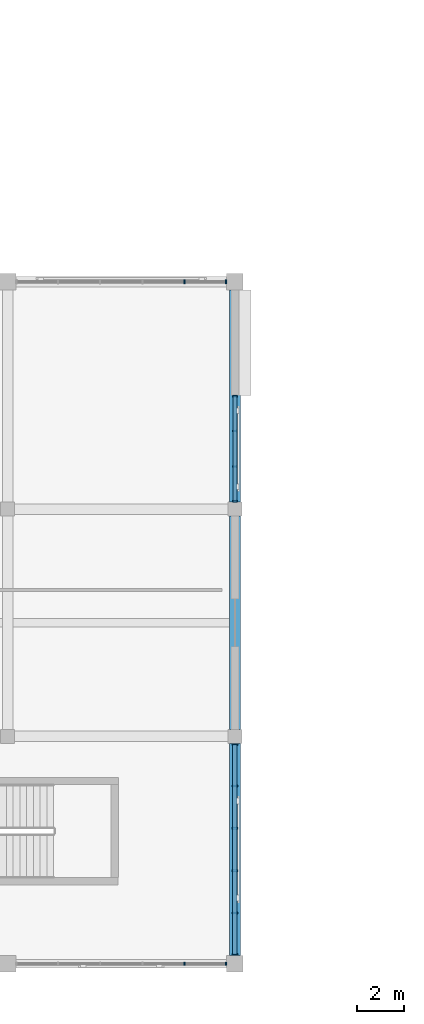
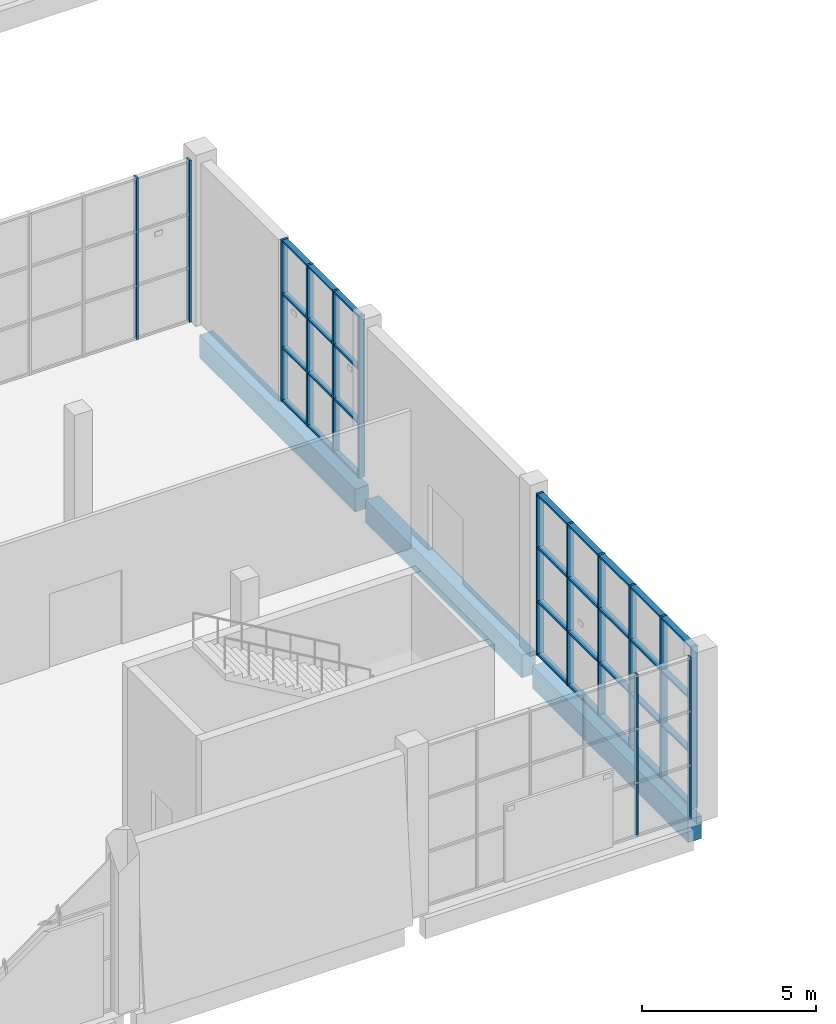
# One storey, part 10 of 84: 22 members, 3 beams, 4 elements without a shape of their own.
"""IFC4 building model written with IfcOpenShell, lengths in metres."""

from ifc_helpers import new_model, si_unit, direction, frame, origin, origin_2d, place, context, subcontext, project, spatial, rectangle, extrude, material, material_profile, profile_set, type_object, element, aggregate, save


model = new_model("IFC4")

# Units and contexts
model_context = context("Model", 3, precision=1e-05, world=origin(), true_north=direction((0.0, 1.0)))
body_context = subcontext(model_context, "Body", "Model", "MODEL_VIEW")
ifc_project = project(units=[si_unit("LENGTHUNIT", "METRE"), si_unit("AREAUNIT", "SQUARE_METRE"), si_unit("VOLUMEUNIT", "CUBIC_METRE"), si_unit("PLANEANGLEUNIT", "RADIAN"), si_unit("MASSUNIT", "GRAM", prefix="KILO")], contexts=[model_context])

# Site, building, storey
site_placement = place(None, origin())
site = spatial("IfcSite", under=ifc_project, at=site_placement, CompositionType="ELEMENT")
building_placement = place(site_placement, origin())
building = spatial("IfcBuilding", under=site, at=building_placement, Name="Shalvenor Court Art Gallery", CompositionType="ELEMENT")
storey_placement = place(building_placement, origin())
storey = spatial("IfcBuildingStorey", under=building, at=storey_placement, Name="L00", CompositionType="ELEMENT", Elevation=0.0)

# Beams
ifc_material_1 = material(Name="Concrete C40/50", Category="concrete")
ifc_material_profile_1 = material_profile(ifc_material_1, rectangle(XDim=0.449951171875, YDim=0.800048828125, at=origin_2d()), Name="RC 450x800")
ifc_profile_set_1 = profile_set([ifc_material_profile_1], Name="Concrete C40/50")
beam_type = type_object("IfcBeamType", Name="B-03", PredefinedType="BEAM", material=ifc_profile_set_1)
beam_1_placement = place(storey_placement, frame((67.199951171875, 0.35009765625, -0.739990234375), z_axis=(0.0, 1.0, 0.0), x_axis=(-1.0, 0.0, 0.0)))
element("IfcBeam", 1, at=beam_1_placement, inside=storey, type_object=beam_type, Name="L00 Girder BM-L00-B-03-0051", PredefinedType="BEAM", context=body_context, shape_type="SweptSolid", body=[
    extrude(rectangle(XDim=0.449951171875, YDim=0.800048828125, at=origin_2d()), origin(), (0.0, 0.0, 1.0), 8.949951171875),
])
beam_2_placement = place(storey_placement, frame((67.199951171875, 9.89990234375, -0.739990234375), z_axis=(0.0, 1.0, 0.0), x_axis=(-1.0, 0.0, 0.0)))
element("IfcBeam", 2, at=beam_2_placement, inside=storey, type_object=beam_type, Name="L00 Girder BM-L00-B-03-0052", PredefinedType="BEAM", context=body_context, shape_type="SweptSolid", body=[
    extrude(rectangle(XDim=0.449951171875, YDim=0.800048828125, at=origin_2d()), origin(), (0.0, 0.0, 1.0), 9.0),
])
beam_3_placement = place(storey_placement, frame((67.199951171875, 19.5, -0.739990234375), z_axis=(0.0, 1.0, 0.0), x_axis=(-1.0, 0.0, 0.0)))
element("IfcBeam", 3, at=beam_3_placement, inside=storey, type_object=beam_type, Name="L00 Girder BM-L00-B-03-0053", PredefinedType="BEAM", context=body_context, shape_type="SweptSolid", body=[
    extrude(rectangle(XDim=0.449951171875, YDim=0.800048828125, at=origin_2d()), origin(), (0.0, 0.0, 1.0), 8.949951171875),
])

# Curtain wall, members
ifc_material_2 = material(Name="Anodised aluminium and low-iron glass curtain wall", Category="aluminium")
curtain_wall_type_1 = type_object("IfcCurtainWallType", Name="CW-5x3-89-57-111", PredefinedType="USERDEFINED", material=ifc_material_2)
curtain_wall_1_placement = place(storey_placement, origin())
curtain_wall_1 = element("IfcCurtainWall", 4, at=curtain_wall_1_placement, inside=storey, type_object=curtain_wall_type_1, Name="L00 V4 Curtain Wall CW-L00-120", ObjectType="CURTAIN WALL", PredefinedType="USERDEFINED")
ifc_material_3 = material(Name="Anodised aluminium mullion", Category="aluminium")
ifc_material_profile_2 = material_profile(ifc_material_3, rectangle(XDim=0.06494140625, YDim=0.179931640625, at=origin_2d()), Name="CWM-01")
ifc_profile_set_2 = profile_set([ifc_material_profile_2], Name="Anodised aluminium mullion")
member_type_1 = type_object("IfcMemberType", Name="CWM-01", PredefinedType="MULLION", material=ifc_profile_set_2)
member_1_placement = place(storey_placement, frame((65.070068359375, 28.800048828125, 0.0), z_axis=(0.0, 0.0, 1.0), x_axis=(1.0, 0.0, 0.0)))
member_1 = element("IfcMember", 5, at=member_1_placement, type_object=member_type_1, Name="CW-5x3-89-57-111 mullion 5", PredefinedType="MULLION", context=body_context, shape_type="SweptSolid", body=[
    extrude(rectangle(XDim=0.06494140625, YDim=0.179931640625, at=origin_2d()), origin(), (0.0, 0.0, 1.0), 5.679931640625),
])
member_2_placement = place(storey_placement, frame((66.8173828125, 28.800048828125, 0.0), z_axis=(0.0, 0.0, 1.0), x_axis=(1.0, 0.0, 0.0)))
member_2 = element("IfcMember", 6, at=member_2_placement, type_object=member_type_1, Name="CW-5x3-89-57-111 mullion 6", PredefinedType="MULLION", context=body_context, shape_type="SweptSolid", body=[
    extrude(rectangle(XDim=0.06494140625, YDim=0.179931640625, at=origin_2d()), origin(), (0.0, 0.0, 1.0), 5.679931640625),
])
aggregate(curtain_wall_1, [member_1, member_2])

ifc_material_4 = material(Name="Anodised aluminium and low-iron glass curtain wall", Category="aluminium")
curtain_wall_type_2 = type_object("IfcCurtainWallType", Name="CW-3x3-45-57-221", PredefinedType="USERDEFINED", material=ifc_material_4)
curtain_wall_2_placement = place(storey_placement, origin())
curtain_wall_2 = element("IfcCurtainWall", 7, at=curtain_wall_2_placement, inside=storey, type_object=curtain_wall_type_2, Name="L00 V4 Curtain Wall CW-L00-121", ObjectType="CURTAIN WALL", PredefinedType="USERDEFINED")
ifc_material_5 = material(Name="Anodised aluminium mullion", Category="aluminium")
ifc_material_profile_3 = material_profile(ifc_material_5, rectangle(XDim=0.070068359375, YDim=0.199951171875, at=origin_2d()), Name="CWM-02")
ifc_profile_set_3 = profile_set([ifc_material_profile_3], Name="Anodised aluminium mullion")
member_type_2 = type_object("IfcMemberType", Name="CWM-02", PredefinedType="MULLION", material=ifc_profile_set_3)
member_3_placement = place(storey_placement, frame((67.199951171875, 23.965087890625, 0.0), z_axis=(0.0, 0.0, 1.0), x_axis=(0.0, -1.0, 0.0)))
member_3 = element("IfcMember", 8, at=member_3_placement, type_object=member_type_2, Name="CW-3x3-45-57-221 mullion 1", PredefinedType="MULLION", context=body_context, shape_type="SweptSolid", body=[
    extrude(rectangle(XDim=0.070068359375, YDim=0.199951171875, at=origin_2d()), origin(), (0.0, 0.0, 1.0), 5.679931640625),
])
member_4_placement = place(storey_placement, frame((67.199951171875, 22.5, 0.0), z_axis=(0.0, 0.0, 1.0), x_axis=(0.0, -1.0, 0.0)))
member_4 = element("IfcMember", 9, at=member_4_placement, type_object=member_type_2, Name="CW-3x3-45-57-221 mullion 2", PredefinedType="MULLION", context=body_context, shape_type="SweptSolid", body=[
    extrude(rectangle(XDim=0.070068359375, YDim=0.199951171875, at=origin_2d()), origin(), (0.0, 0.0, 1.0), 5.679931640625),
])
member_5_placement = place(storey_placement, frame((67.199951171875, 21.0, 0.0), z_axis=(0.0, 0.0, 1.0), x_axis=(0.0, -1.0, 0.0)))
member_5 = element("IfcMember", 10, at=member_5_placement, type_object=member_type_2, Name="CW-3x3-45-57-221 mullion 3", PredefinedType="MULLION", context=body_context, shape_type="SweptSolid", body=[
    extrude(rectangle(XDim=0.070068359375, YDim=0.199951171875, at=origin_2d()), origin(), (0.0, 0.0, 1.0), 5.679931640625),
])
member_6_placement = place(storey_placement, frame((67.199951171875, 19.534912109375, 0.0), z_axis=(0.0, 0.0, 1.0), x_axis=(0.0, -1.0, 0.0)))
member_6 = element("IfcMember", 11, at=member_6_placement, type_object=member_type_2, Name="CW-3x3-45-57-221 mullion 4", PredefinedType="MULLION", context=body_context, shape_type="SweptSolid", body=[
    extrude(rectangle(XDim=0.070068359375, YDim=0.199951171875, at=origin_2d()), origin(), (0.0, 0.0, 1.0), 5.679931640625),
])

ifc_material_6 = material(Name="Anodised aluminium and low-iron glass curtain wall", Category="aluminium")
curtain_wall_type_3 = type_object("IfcCurtainWallType", Name="CW-5x3-90-57-441", PredefinedType="USERDEFINED", material=ifc_material_6)
curtain_wall_3_placement = place(storey_placement, origin())
curtain_wall_3 = element("IfcCurtainWall", 12, at=curtain_wall_3_placement, inside=storey, type_object=curtain_wall_type_3, Name="L00 V4 Curtain Wall CW-L00-122", ObjectType="CURTAIN WALL", PredefinedType="USERDEFINED")
ifc_material_7 = material(Name="Anodised aluminium mullion", Category="aluminium")
ifc_material_profile_4 = material_profile(ifc_material_7, rectangle(XDim=0.074951171875, YDim=0.219970703125, at=origin_2d()), Name="CWM-04")
ifc_profile_set_4 = profile_set([ifc_material_profile_4], Name="Anodised aluminium mullion")
member_type_3 = type_object("IfcMemberType", Name="CWM-04", PredefinedType="MULLION", material=ifc_profile_set_4)
member_7_placement = place(storey_placement, frame((67.199951171875, 9.262451171875, 0.0), z_axis=(0.0, 0.0, 1.0), x_axis=(0.0, -1.0, 0.0)))
member_7 = element("IfcMember", 13, at=member_7_placement, type_object=member_type_3, Name="CW-5x3-90-57-441 mullion 1", PredefinedType="MULLION", context=body_context, shape_type="SweptSolid", body=[
    extrude(rectangle(XDim=0.074951171875, YDim=0.219970703125, at=origin_2d()), origin(), (0.0, 0.0, 1.0), 5.679931640625),
])
member_8_placement = place(storey_placement, frame((67.199951171875, 7.510009765625, 0.0), z_axis=(0.0, 0.0, 1.0), x_axis=(0.0, -1.0, 0.0)))
member_8 = element("IfcMember", 14, at=member_8_placement, type_object=member_type_3, Name="CW-5x3-90-57-441 mullion 2", PredefinedType="MULLION", context=body_context, shape_type="SweptSolid", body=[
    extrude(rectangle(XDim=0.074951171875, YDim=0.219970703125, at=origin_2d()), origin(), (0.0, 0.0, 1.0), 5.679931640625),
])
member_9_placement = place(storey_placement, frame((67.199951171875, 5.719970703125, 0.0), z_axis=(0.0, 0.0, 1.0), x_axis=(0.0, -1.0, 0.0)))
member_9 = element("IfcMember", 15, at=member_9_placement, type_object=member_type_3, Name="CW-5x3-90-57-441 mullion 3", PredefinedType="MULLION", context=body_context, shape_type="SweptSolid", body=[
    extrude(rectangle(XDim=0.074951171875, YDim=0.219970703125, at=origin_2d()), origin(), (0.0, 0.0, 1.0), 5.679931640625),
])
member_10_placement = place(storey_placement, frame((67.199951171875, 3.929931640625, 0.0), z_axis=(0.0, 0.0, 1.0), x_axis=(0.0, -1.0, 0.0)))
member_10 = element("IfcMember", 16, at=member_10_placement, type_object=member_type_3, Name="CW-5x3-90-57-441 mullion 4", PredefinedType="MULLION", context=body_context, shape_type="SweptSolid", body=[
    extrude(rectangle(XDim=0.074951171875, YDim=0.219970703125, at=origin_2d()), origin(), (0.0, 0.0, 1.0), 5.679931640625),
])
member_11_placement = place(storey_placement, frame((67.199951171875, 2.139892578125, 0.0), z_axis=(0.0, 0.0, 1.0), x_axis=(0.0, -1.0, 0.0)))
member_11 = element("IfcMember", 17, at=member_11_placement, type_object=member_type_3, Name="CW-5x3-90-57-441 mullion 5", PredefinedType="MULLION", context=body_context, shape_type="SweptSolid", body=[
    extrude(rectangle(XDim=0.074951171875, YDim=0.219970703125, at=origin_2d()), origin(), (0.0, 0.0, 1.0), 5.679931640625),
])
member_12_placement = place(storey_placement, frame((67.199951171875, 0.387451171875, 0.0), z_axis=(0.0, 0.0, 1.0), x_axis=(0.0, -1.0, 0.0)))
member_12 = element("IfcMember", 18, at=member_12_placement, type_object=member_type_3, Name="CW-5x3-90-57-441 mullion 6", PredefinedType="MULLION", context=body_context, shape_type="SweptSolid", body=[
    extrude(rectangle(XDim=0.074951171875, YDim=0.219970703125, at=origin_2d()), origin(), (0.0, 0.0, 1.0), 5.679931640625),
])

ifc_material_8 = material(Name="Anodised aluminium and low-iron glass curtain wall", Category="aluminium")
curtain_wall_type_4 = type_object("IfcCurtainWallType", Name="CW-5x3-89-57-611", PredefinedType="USERDEFINED", material=ifc_material_8)
curtain_wall_4_placement = place(storey_placement, origin())
curtain_wall_4 = element("IfcCurtainWall", 19, at=curtain_wall_4_placement, inside=storey, type_object=curtain_wall_type_4, Name="L00 V4 Curtain Wall CW-L00-123", ObjectType="CURTAIN WALL", PredefinedType="USERDEFINED")
ifc_material_9 = material(Name="Anodised aluminium mullion", Category="aluminium")
ifc_material_profile_5 = material_profile(ifc_material_9, rectangle(XDim=0.054931640625, YDim=0.139892578125, at=origin_2d()), Name="CWM-06")
ifc_profile_set_5 = profile_set([ifc_material_profile_5], Name="Anodised aluminium mullion")
member_type_4 = type_object("IfcMemberType", Name="CWM-06", PredefinedType="MULLION", material=ifc_profile_set_5)
member_13_placement = place(storey_placement, frame((66.822509765625, 0.0, 0.0), z_axis=(0.0, 0.0, 1.0), x_axis=(-1.0, 0.0, 0.0)))
member_13 = element("IfcMember", 20, at=member_13_placement, type_object=member_type_4, Name="CW-5x3-89-57-611 mullion 1", PredefinedType="MULLION", context=body_context, shape_type="SweptSolid", body=[
    extrude(rectangle(XDim=0.054931640625, YDim=0.139892578125, at=origin_2d()), origin(), (0.0, 0.0, 1.0), 5.679931640625),
])
member_14_placement = place(storey_placement, frame((65.070068359375, 0.0, 0.0), z_axis=(0.0, 0.0, 1.0), x_axis=(-1.0, 0.0, 0.0)))
member_14 = element("IfcMember", 21, at=member_14_placement, type_object=member_type_4, Name="CW-5x3-89-57-611 mullion 2", PredefinedType="MULLION", context=body_context, shape_type="SweptSolid", body=[
    extrude(rectangle(XDim=0.054931640625, YDim=0.139892578125, at=origin_2d()), origin(), (0.0, 0.0, 1.0), 5.679931640625),
])
aggregate(curtain_wall_4, [member_13, member_14])

# Member
ifc_material_10 = material(Name="Anodised aluminium transom", Category="aluminium")
ifc_material_profile_6 = material_profile(ifc_material_10, rectangle(XDim=0.169921875, YDim=0.06494140625, at=origin_2d()), Name="CWT-02")
ifc_profile_set_6 = profile_set([ifc_material_profile_6], Name="Anodised aluminium transom")
member_type_5 = type_object("IfcMemberType", Name="CWT-02", PredefinedType="USERDEFINED", material=ifc_profile_set_6)
member_15_placement = place(storey_placement, frame((67.199951171875, 23.965087890625, 0.032470703125), z_axis=(0.0, -1.0, 0.0), x_axis=(1.0, 0.0, 0.0)))
member_15 = element("IfcMember", 22, at=member_15_placement, type_object=member_type_5, Name="CW-3x3-45-57-221 transom 1", ObjectType="TRANSOM", PredefinedType="USERDEFINED", context=body_context, shape_type="SweptSolid", body=[
    extrude(rectangle(XDim=0.169921875, YDim=0.06494140625, at=origin_2d()), origin(), (0.0, 0.0, 1.0), 4.43017578125),
])

member_16_placement = place(storey_placement, frame((67.199951171875, 23.965087890625, 1.893310546875), z_axis=(0.0, -1.0, 0.0), x_axis=(1.0, 0.0, 0.0)))
member_16 = element("IfcMember", 23, at=member_16_placement, type_object=member_type_5, Name="CW-3x3-45-57-221 transom 2", ObjectType="TRANSOM", PredefinedType="USERDEFINED", context=body_context, shape_type="SweptSolid", body=[
    extrude(rectangle(XDim=0.169921875, YDim=0.06494140625, at=origin_2d()), origin(), (0.0, 0.0, 1.0), 4.43017578125),
])

member_17_placement = place(storey_placement, frame((67.199951171875, 23.965087890625, 3.78662109375), z_axis=(0.0, -1.0, 0.0), x_axis=(1.0, 0.0, 0.0)))
member_17 = element("IfcMember", 24, at=member_17_placement, type_object=member_type_5, Name="CW-3x3-45-57-221 transom 3", ObjectType="TRANSOM", PredefinedType="USERDEFINED", context=body_context, shape_type="SweptSolid", body=[
    extrude(rectangle(XDim=0.169921875, YDim=0.06494140625, at=origin_2d()), origin(), (0.0, 0.0, 1.0), 4.43017578125),
])

member_18_placement = place(storey_placement, frame((67.199951171875, 23.965087890625, 5.6474609375), z_axis=(0.0, -1.0, 0.0), x_axis=(1.0, 0.0, 0.0)))
member_18 = element("IfcMember", 25, at=member_18_placement, type_object=member_type_5, Name="CW-3x3-45-57-221 transom 4", ObjectType="TRANSOM", PredefinedType="USERDEFINED", context=body_context, shape_type="SweptSolid", body=[
    extrude(rectangle(XDim=0.169921875, YDim=0.06494140625, at=origin_2d()), origin(), (0.0, 0.0, 1.0), 4.43017578125),
])

aggregate(curtain_wall_2, [member_3, member_4, member_5, member_6, member_15, member_16, member_17, member_18])

ifc_material_11 = material(Name="Anodised aluminium transom", Category="aluminium")
ifc_material_profile_7 = material_profile(ifc_material_11, rectangle(XDim=0.18994140625, YDim=0.070068359375, at=origin_2d()), Name="CWT-04")
ifc_profile_set_7 = profile_set([ifc_material_profile_7], Name="Anodised aluminium transom")
member_type_6 = type_object("IfcMemberType", Name="CWT-04", PredefinedType="USERDEFINED", material=ifc_profile_set_7)
member_19_placement = place(storey_placement, frame((67.199951171875, 9.262451171875, 0.034912109375), z_axis=(0.0, -1.0, 0.0), x_axis=(1.0, 0.0, 0.0)))
member_19 = element("IfcMember", 26, at=member_19_placement, type_object=member_type_6, Name="CW-5x3-90-57-441 transom 1", ObjectType="TRANSOM", PredefinedType="USERDEFINED", context=body_context, shape_type="SweptSolid", body=[
    extrude(rectangle(XDim=0.18994140625, YDim=0.070068359375, at=origin_2d()), origin(), (0.0, 0.0, 1.0), 8.875),
])

member_20_placement = place(storey_placement, frame((67.199951171875, 9.262451171875, 1.893310546875), z_axis=(0.0, -1.0, 0.0), x_axis=(1.0, 0.0, 0.0)))
member_20 = element("IfcMember", 27, at=member_20_placement, type_object=member_type_6, Name="CW-5x3-90-57-441 transom 2", ObjectType="TRANSOM", PredefinedType="USERDEFINED", context=body_context, shape_type="SweptSolid", body=[
    extrude(rectangle(XDim=0.18994140625, YDim=0.070068359375, at=origin_2d()), origin(), (0.0, 0.0, 1.0), 8.875),
])

member_21_placement = place(storey_placement, frame((67.199951171875, 9.262451171875, 3.78662109375), z_axis=(0.0, -1.0, 0.0), x_axis=(1.0, 0.0, 0.0)))
member_21 = element("IfcMember", 28, at=member_21_placement, type_object=member_type_6, Name="CW-5x3-90-57-441 transom 3", ObjectType="TRANSOM", PredefinedType="USERDEFINED", context=body_context, shape_type="SweptSolid", body=[
    extrude(rectangle(XDim=0.18994140625, YDim=0.070068359375, at=origin_2d()), origin(), (0.0, 0.0, 1.0), 8.875),
])

member_22_placement = place(storey_placement, frame((67.199951171875, 9.262451171875, 5.64501953125), z_axis=(0.0, -1.0, 0.0), x_axis=(1.0, 0.0, 0.0)))
member_22 = element("IfcMember", 29, at=member_22_placement, type_object=member_type_6, Name="CW-5x3-90-57-441 transom 4", ObjectType="TRANSOM", PredefinedType="USERDEFINED", context=body_context, shape_type="SweptSolid", body=[
    extrude(rectangle(XDim=0.18994140625, YDim=0.070068359375, at=origin_2d()), origin(), (0.0, 0.0, 1.0), 8.875),
])

aggregate(curtain_wall_3, [member_7, member_8, member_9, member_10, member_11, member_12, member_19, member_20, member_21, member_22])

save(model, "model.ifc")
